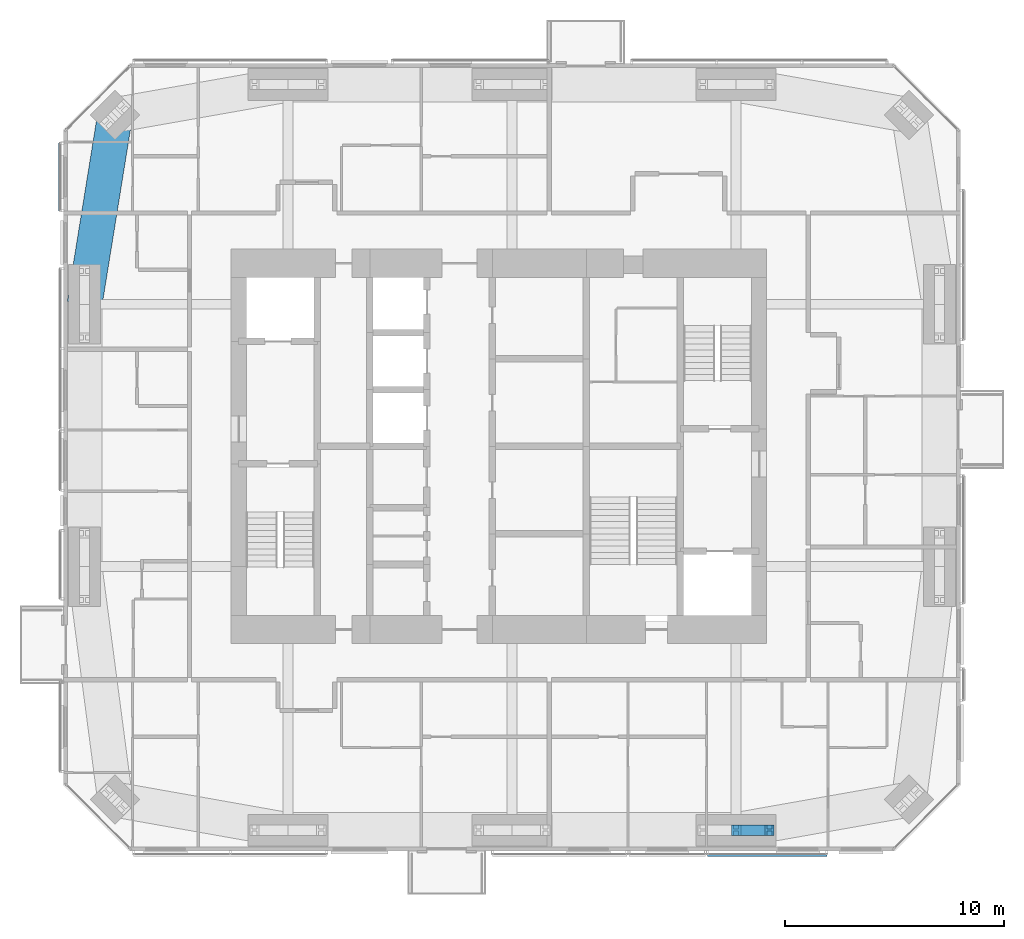
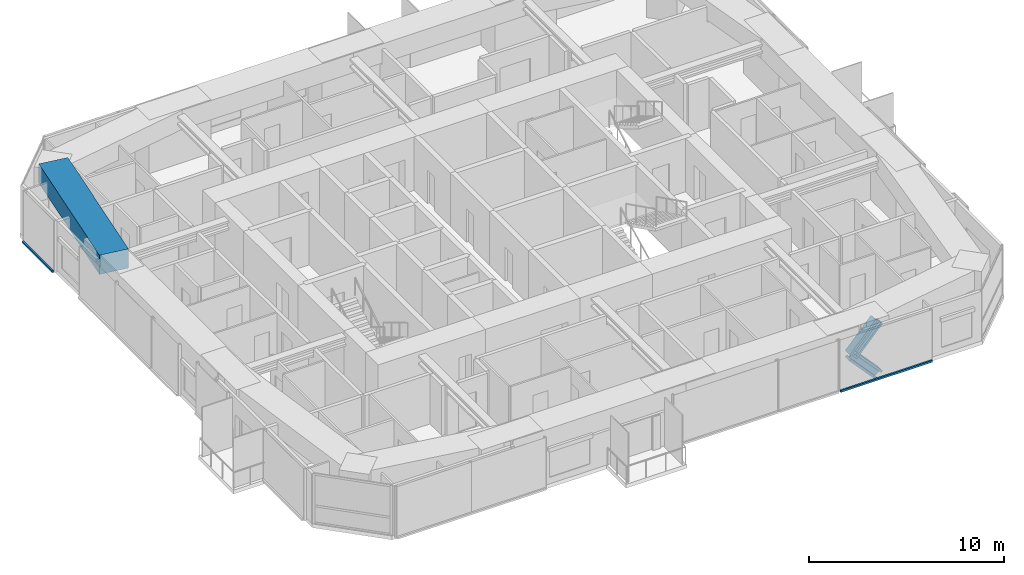
# One storey, part 6 of 22: 4 members, 1 beam, 2 elements without a shape of their own.
"""IFC4 building model written with IfcOpenShell, lengths in metres."""

from ifc_helpers import new_model, si_unit, direction, frame, origin, origin_2d, place, context, subcontext, project, spatial, rectangle, i_section, extrude, material, material_profile, profile_set, type_object, element, aggregate, save


model = new_model("IFC4")

# Units and contexts
model_context = context("Model", 3, precision=1e-05, world=origin(), true_north=direction((0.0, 1.0)))
body_context = subcontext(model_context, "Body", "Model", "MODEL_VIEW")
ifc_project = project(units=[si_unit("LENGTHUNIT", "METRE"), si_unit("AREAUNIT", "SQUARE_METRE"), si_unit("VOLUMEUNIT", "CUBIC_METRE"), si_unit("PLANEANGLEUNIT", "RADIAN"), si_unit("MASSUNIT", "GRAM", prefix="KILO")], contexts=[model_context])

# Site, building, storey
site_placement = place(None, origin())
site = spatial("IfcSite", under=ifc_project, at=site_placement, CompositionType="ELEMENT")
building_placement = place(site_placement, origin())
building = spatial("IfcBuilding", under=site, at=building_placement, Name="Jalousie Tower", CompositionType="ELEMENT")
storey_placement = place(building_placement, frame((0.0, 0.0, 201.25)))
storey = spatial("IfcBuildingStorey", under=building, at=storey_placement, Name="L55", CompositionType="ELEMENT", Elevation=201.25)

# Members
ifc_material_1 = material(Name="Steel ASTM A992 Grade 50", Category="steel")
ifc_material_profile_1 = material_profile(ifc_material_1, i_section(OverallWidth=0.472412109375, OverallDepth=0.5791015625, WebThickness=0.094970703125, FlangeThickness=0.1298828125, at=origin_2d()), Name="W14X808")
ifc_profile_set_1 = profile_set([ifc_material_profile_1], Name="Steel ASTM A992 Grade 50")
member_type_1 = type_object("IfcMemberType", Name="PERIMETER BRACE W14X808", PredefinedType="BRACE", material=ifc_profile_set_1)
for number, where, z_axis, x_axis, name in (
    (1, (42.75, 0.949951171875, 1.074951171875), (0.673187629365, 0.0, 0.739471713908), (0.0, 1.0, 0.0), "Perimeter brace 04 L55 part 2"),
    (2, (44.27490234375, 0.949951171875, -0.60009765625), (-0.673187629365, 0.0, 0.739471713908), (0.0, -1.0, 0.0), "Perimeter brace 04 L55 part 3"),
):
    element("IfcMember", number, at=place(storey_placement, frame(where, z_axis=z_axis, x_axis=x_axis)), inside=storey, type_object=member_type_1, Name=name, PredefinedType="BRACE", context=body_context, shape_type="SweptSolid", body=[
        extrude(i_section(OverallWidth=0.472412109375, OverallDepth=0.5791015625, WebThickness=0.094970703125, FlangeThickness=0.1298828125, at=origin_2d()), origin(), (0.0, 0.0, 1.0), 2.26513671875),
    ])

# Beam
ifc_material_2 = material(Name="Concrete f'c 40 MPa", Category="concrete")
ifc_material_profile_2 = material_profile(ifc_material_2, rectangle(XDim=1.60009765625, YDim=1.199951171875, at=origin_2d()), Name="RC 1600x1200")
ifc_profile_set_2 = profile_set([ifc_material_profile_2], Name="Concrete f'c 40 MPa")
beam_type = type_object("IfcBeamType", Name="RC BEAM 1600x1200", PredefinedType="BEAM", material=ifc_profile_set_2)
beam_placement = place(storey_placement, frame((14.348388671875, 33.651611328125, 2.75), z_axis=(-0.159567878256, -0.987186959106, 0.0), x_axis=(0.987186959106, -0.159567878256, 0.0)))
element("IfcBeam", 3, at=beam_placement, inside=storey, type_object=beam_type, Name="Edge band beam 12-13 under L56", PredefinedType="BEAM", context=body_context, shape_type="SweptSolid", body=[
    extrude(rectangle(XDim=1.60009765625, YDim=1.199951171875, at=origin_2d()), origin(), (0.0, 0.0, 1.0), 8.763916015625),
])

# Curtain wall, member
ifc_material_3 = material(Name="Perforated aluminium sheet", Category="aluminium")
curtain_wall_type = type_object("IfcCurtainWallType", Name="SOLAR SCREEN SS-1", PredefinedType="USERDEFINED", material=ifc_material_3)
curtain_wall_1_placement = place(storey_placement, origin())
curtain_wall_1 = element("IfcCurtainWall", 4, at=curtain_wall_1_placement, inside=storey, type_object=curtain_wall_type, Name="Solar screen L55", ObjectType="SOLAR SCREEN SS-1", PredefinedType="USERDEFINED")
ifc_material_4 = material(Name="Extruded aluminium screen rail", Category="aluminium")
ifc_material_profile_3 = material_profile(ifc_material_4, rectangle(XDim=0.1015625, YDim=0.1201171875, at=origin_2d()), Name="RAIL 102x120")
ifc_profile_set_3 = profile_set([ifc_material_profile_3], Name="Extruded aluminium screen rail")
member_type_2 = type_object("IfcMemberType", Name="SOLAR SCREEN SS-1 TRANSOM", PredefinedType="USERDEFINED", material=ifc_profile_set_3)
member_1_placement = place(storey_placement, frame((41.449951171875, -0.1982421875, -0.06005859375), z_axis=(1.0, 0.0, 0.0), x_axis=(0.0, 1.0, 0.0)))
member_1 = element("IfcMember", 5, at=member_1_placement, type_object=member_type_2, Name="SS1 rail", ObjectType="TRANSOM", PredefinedType="USERDEFINED", context=body_context, shape_type="SweptSolid", body=[
    extrude(rectangle(XDim=0.1015625, YDim=0.1201171875, at=origin_2d()), origin(), (0.0, 0.0, 1.0), 5.449951171875),
])
aggregate(curtain_wall_1, [member_1])

curtain_wall_2_placement = place(storey_placement, origin())
curtain_wall_2 = element("IfcCurtainWall", 6, at=curtain_wall_2_placement, inside=storey, type_object=curtain_wall_type, Name="Solar screen L55", ObjectType="SOLAR SCREEN SS-1", PredefinedType="USERDEFINED")
member_2_placement = place(storey_placement, frame((11.8017578125, 32.3701171875, -0.06005859375), z_axis=(0.0, -1.0, 0.0), x_axis=(1.0, 0.0, 0.0)))
member_2 = element("IfcMember", 7, at=member_2_placement, type_object=member_type_2, Name="SS1 rail", ObjectType="TRANSOM", PredefinedType="USERDEFINED", context=body_context, shape_type="SweptSolid", body=[
    extrude(rectangle(XDim=0.1015625, YDim=0.1201171875, at=origin_2d()), origin(), (0.0, 0.0, 1.0), 3.09521484375),
])
aggregate(curtain_wall_2, [member_2])

save(model, "model.ifc")
